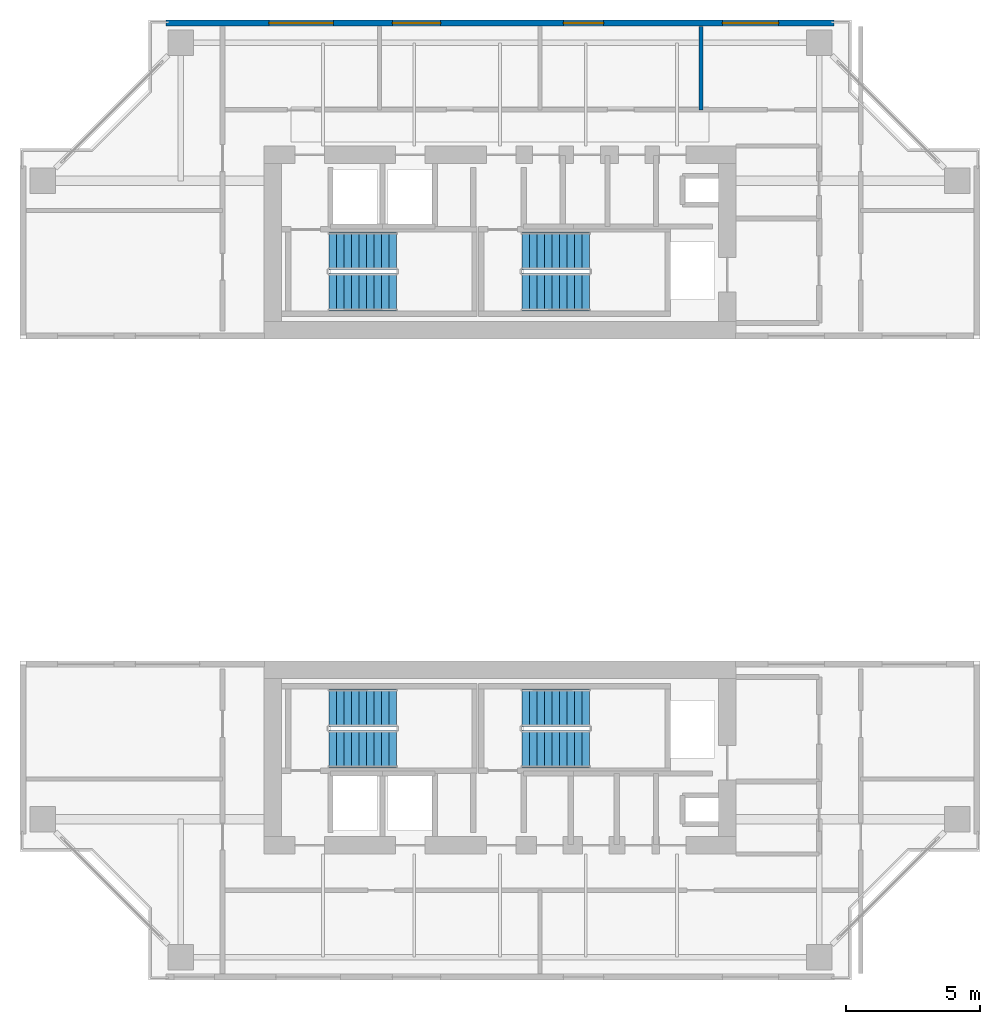
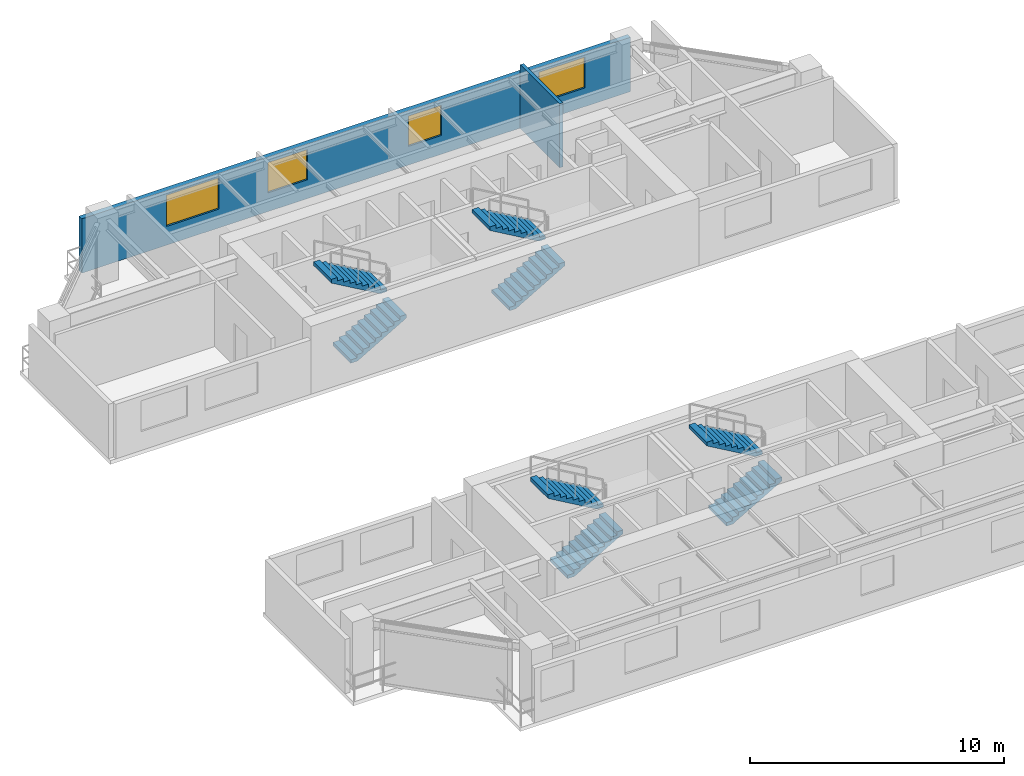
# One storey, part 10 of 12: 8 stair flights, 4 windows, 2 walls, 4 openings, 4 elements without a shape of their own.
"""IFC4 building model written with IfcOpenShell, lengths in metres."""

from ifc_helpers import new_model, si_unit, direction, frame, frame_2d, origin, place, context, subcontext, project, spatial, polyline, rectangle, outline, extrude, source, transform, mapped, material, layer, layer_set, type_object, element, fill, aggregate, save


model = new_model("IFC4")

# Units and contexts
model_context = context("Model", 3, precision=1e-05, world=origin(), true_north=direction((0.0, 1.0)))
body_context = subcontext(model_context, "Body", "Model", "MODEL_VIEW")
ifc_project = project(units=[si_unit("LENGTHUNIT", "METRE"), si_unit("AREAUNIT", "SQUARE_METRE"), si_unit("VOLUMEUNIT", "CUBIC_METRE"), si_unit("PLANEANGLEUNIT", "RADIAN"), si_unit("MASSUNIT", "GRAM", prefix="KILO"), si_unit("THERMODYNAMICTEMPERATUREUNIT", "KELVIN"), si_unit("POWERUNIT", "WATT")], contexts=[model_context])

# Site, building, storey
site_placement = place(None, origin())
site = spatial("IfcSite", under=ifc_project, at=site_placement, CompositionType="ELEMENT")
building_placement = place(site_placement, origin())
building = spatial("IfcBuilding", under=site, at=building_placement, Name="Qiaomeng Ring Towers", CompositionType="ELEMENT")
storey_placement = place(building_placement, frame((0.0, 0.0, 163.25)))
storey = spatial("IfcBuildingStorey", under=building, at=storey_placement, Name="L47", CompositionType="ELEMENT", Elevation=163.25)

# Wall, openings, windows
ifc_material_1 = material(Name="Precast concrete C40", Category="concrete")
ifc_layer_1 = layer(ifc_material_1, 0.219970703125, Name="Precast concrete C40")
ifc_layer_set_1 = layer_set([ifc_layer_1], Name="Precast concrete C40")
wall_type_1 = type_object("IfcWallType", Name="ARC-WL-EW2", PredefinedType="STANDARD", material=ifc_layer_set_1)
wall_1_placement = place(storey_placement, frame((6.550048828125, 40.7900390625, 0.0), z_axis=(0.0, 0.0, 1.0), x_axis=(1.0, 0.0, 0.0)))
wall_1 = element("IfcWall", 1, at=wall_1_placement, inside=storey, type_object=wall_type_1, Name="L47 Tower 1 N Exterior Wall", PredefinedType="STANDARD", context=body_context, shape_type="SweptSolid", body=[
    extrude(rectangle(XDim=24.89990234375, YDim=0.219970703125, at=frame_2d((12.449951171875, 0.0))), origin(), (0.0, 0.0, 1.0), 2.610107421875),
])
opening_1_placement = place(wall_1_placement, frame((3.83251953125, 0.0, 0.89990234375)))
opening_1 = element("IfcOpeningElement", 2, at=opening_1_placement, cuts=wall_1, Name="Opening WN6", PredefinedType="OPENING", context=body_context, shape_type="SweptSolid", body=[
    extrude(rectangle(XDim=2.39990234375, YDim=1.5, at=frame_2d((1.199951171875, 0.75))), frame((0.0, 0.119873046875, 0.0), z_axis=(0.0, -1.0, 0.0), x_axis=(1.0, 0.0, 0.0)), (0.0, 0.0, 1.0), 0.239990234375),
])
opening_2_placement = place(wall_1_placement, frame((8.43798828125, 0.0, 0.89990234375)))
opening_2 = element("IfcOpeningElement", 3, at=opening_2_placement, cuts=wall_1, Name="Opening WN1", PredefinedType="OPENING", context=body_context, shape_type="SweptSolid", body=[
    extrude(rectangle(XDim=1.800048828125, YDim=1.449951171875, at=frame_2d((0.89990234375, 0.72509765625))), frame((0.0, 0.119873046875, 0.0), z_axis=(0.0, -1.0, 0.0), x_axis=(1.0, 0.0, 0.0)), (0.0, 0.0, 1.0), 0.239990234375),
])
opening_3_placement = place(wall_1_placement, frame((14.81298828125, 0.0, 0.89990234375)))
opening_3 = element("IfcOpeningElement", 4, at=opening_3_placement, cuts=wall_1, Name="Opening WN2", PredefinedType="OPENING", context=body_context, shape_type="SweptSolid", body=[
    extrude(rectangle(XDim=1.5, YDim=1.449951171875, at=frame_2d((0.75, 0.72509765625))), frame((0.0, 0.119873046875, 0.0), z_axis=(0.0, -1.0, 0.0), x_axis=(1.0, 0.0, 0.0)), (0.0, 0.0, 1.0), 0.239990234375),
])
opening_4_placement = place(wall_1_placement, frame((20.738037109375, 0.0, 0.89990234375)))
opening_4 = element("IfcOpeningElement", 5, at=opening_4_placement, cuts=wall_1, Name="Opening WN4", PredefinedType="OPENING", context=body_context, shape_type="SweptSolid", body=[
    extrude(rectangle(XDim=2.10009765625, YDim=1.47998046875, at=frame_2d((1.050048828125, 0.739990234375))), frame((0.0, 0.119873046875, 0.0), z_axis=(0.0, -1.0, 0.0), x_axis=(1.0, 0.0, 0.0)), (0.0, 0.0, 1.0), 0.239990234375),
])
ifc_material_2 = material(Name="Low-E dark-grey laminated double glazing", Category="glass")
window_type_1 = type_object("IfcWindowType", Name="ARC-WN-2", PartitioningType="DOUBLE_PANEL_VERTICAL", PredefinedType="WINDOW", material=ifc_material_2)
shared_shape_1 = source(origin(), body_context, "Body", "SweptSolid", [
    extrude(rectangle(XDim=1.5, YDim=1.449951171875, at=frame_2d((0.75, 0.72509765625))), frame((0.0, 0.030029296875, 0.0), z_axis=(0.0, -1.0, 0.0), x_axis=(1.0, 0.0, 0.0)), (0.0, 0.0, 1.0), 0.06005859375),
])
window_1_placement = place(opening_3_placement, origin())
window_1 = element("IfcWindow", 6, at=window_1_placement, inside=storey, type_object=window_type_1, Name="L47 Exterior Window WN2", OverallHeight=1.449951171875, OverallWidth=1.5, PartitioningType="DOUBLE_PANEL_VERTICAL", PredefinedType="WINDOW", context=body_context, shape_type="MappedRepresentation", body=[
    mapped(shared_shape_1, transform((0.0, 0.0, 0.0), x_axis=(1.0, 0.0, 0.0), y_axis=(0.0, 1.0, 0.0), z_axis=(0.0, 0.0, 1.0), scale=1.0)),
])
fill(opening_3, window_1)
window_type_2 = type_object("IfcWindowType", Name="ARC-WN-4", PartitioningType="TRIPLE_PANEL_VERTICAL", PredefinedType="WINDOW", material=ifc_material_2)
shared_shape_2 = source(origin(), body_context, "Body", "SweptSolid", [
    extrude(rectangle(XDim=2.10009765625, YDim=1.47998046875, at=frame_2d((1.050048828125, 0.739990234375))), frame((0.0, 0.030029296875, 0.0), z_axis=(0.0, -1.0, 0.0), x_axis=(1.0, 0.0, 0.0)), (0.0, 0.0, 1.0), 0.06005859375),
])
window_2_placement = place(opening_4_placement, origin())
window_2 = element("IfcWindow", 7, at=window_2_placement, inside=storey, type_object=window_type_2, Name="L47 Exterior Window WN4", OverallHeight=1.47998046875, OverallWidth=2.10009765625, PartitioningType="TRIPLE_PANEL_VERTICAL", PredefinedType="WINDOW", context=body_context, shape_type="MappedRepresentation", body=[
    mapped(shared_shape_2, transform((0.0, 0.0, 0.0), x_axis=(1.0, 0.0, 0.0), y_axis=(0.0, 1.0, 0.0), z_axis=(0.0, 0.0, 1.0), scale=1.0)),
])
fill(opening_4, window_2)
window_type_3 = type_object("IfcWindowType", Name="ARC-WN-1", PartitioningType="DOUBLE_PANEL_VERTICAL", PredefinedType="WINDOW", material=ifc_material_2)
shared_shape_3 = source(origin(), body_context, "Body", "SweptSolid", [
    extrude(rectangle(XDim=1.800048828125, YDim=1.449951171875, at=frame_2d((0.89990234375, 0.72509765625))), frame((0.0, 0.030029296875, 0.0), z_axis=(0.0, -1.0, 0.0), x_axis=(1.0, 0.0, 0.0)), (0.0, 0.0, 1.0), 0.06005859375),
])
window_3_placement = place(opening_2_placement, origin())
window_3 = element("IfcWindow", 8, at=window_3_placement, inside=storey, type_object=window_type_3, Name="L47 Exterior Window WN1", OverallHeight=1.449951171875, OverallWidth=1.800048828125, PartitioningType="DOUBLE_PANEL_VERTICAL", PredefinedType="WINDOW", context=body_context, shape_type="MappedRepresentation", body=[
    mapped(shared_shape_3, transform((0.0, 0.0, 0.0), x_axis=(1.0, 0.0, 0.0), y_axis=(0.0, 1.0, 0.0), z_axis=(0.0, 0.0, 1.0), scale=1.0)),
])
fill(opening_2, window_3)
window_type_4 = type_object("IfcWindowType", Name="ARC-WN-6", PartitioningType="TRIPLE_PANEL_VERTICAL", PredefinedType="WINDOW", material=ifc_material_2)
shared_shape_4 = source(origin(), body_context, "Body", "SweptSolid", [
    extrude(rectangle(XDim=2.39990234375, YDim=1.5, at=frame_2d((1.199951171875, 0.75))), frame((0.0, 0.030029296875, 0.0), z_axis=(0.0, -1.0, 0.0), x_axis=(1.0, 0.0, 0.0)), (0.0, 0.0, 1.0), 0.06005859375),
])
window_4_placement = place(opening_1_placement, origin())
window_4 = element("IfcWindow", 9, at=window_4_placement, inside=storey, type_object=window_type_4, Name="L47 Exterior Window WN6", OverallHeight=1.5, OverallWidth=2.39990234375, PartitioningType="TRIPLE_PANEL_VERTICAL", PredefinedType="WINDOW", context=body_context, shape_type="MappedRepresentation", body=[
    mapped(shared_shape_4, transform((0.0, 0.0, 0.0), x_axis=(1.0, 0.0, 0.0), y_axis=(0.0, 1.0, 0.0), z_axis=(0.0, 0.0, 1.0), scale=1.0)),
])
fill(opening_1, window_4)

# Wall
ifc_material_3 = material(Name="Gypsum fireboard steel-stud partition", Category="steel")
ifc_layer_2 = layer(ifc_material_3, 0.14990234375, Name="Gypsum fireboard steel-stud partition")
ifc_layer_set_2 = layer_set([ifc_layer_2], Name="Gypsum fireboard steel-stud partition")
wall_type_2 = type_object("IfcWallType", Name="ARC-WL-PW3", PredefinedType="PARTITIONING", material=ifc_layer_set_2)
wall_2_placement = place(storey_placement, frame((26.5, 37.550048828125, 0.0), z_axis=(0.0, 0.0, 1.0), x_axis=(0.0, 1.0, 0.0)))
element("IfcWall", 10, at=wall_2_placement, inside=storey, type_object=wall_type_2, Name="L47 Interior Wall PW3", PredefinedType="PARTITIONING", context=body_context, shape_type="SweptSolid", body=[
    extrude(rectangle(XDim=3.099853515625, YDim=0.14990234375, at=frame_2d((1.5498046875, 0.0))), origin(), (0.0, 0.0, 1.0), 3.070068359375),
])

# Stair, stair flights
stair_type = type_object("IfcStairType", Name="ARC-ST-325", PredefinedType="HALF_TURN_STAIR", material=ifc_material_1)
stair_1_placement = place(storey_placement, origin())
stair_1 = element("IfcStair", 11, at=stair_1_placement, inside=storey, type_object=stair_type, Name="L47 Tower 1 North Stair 1", PredefinedType="HALF_TURN_STAIR")
stair_flight_type = type_object("IfcStairFlightType", Name="ARC-ST-325-FL", PredefinedType="STRAIGHT", material=ifc_material_1)
shared_shape_5 = source(origin(), body_context, "Body", "SweptSolid", [
    extrude(outline(polyline([(0.0, 0.0), (0.0, 0.16259765625), (0.280029296875, 0.16259765625), (0.280029296875, 0.324951171875), (0.56005859375, 0.324951171875), (0.56005859375, 0.487548828125), (0.840087890625, 0.487548828125), (0.840087890625, 0.64990234375), (1.1201171875, 0.64990234375), (1.1201171875, 0.8125), (1.39990234375, 0.8125), (1.39990234375, 0.97509765625), (1.679931640625, 0.97509765625), (1.679931640625, 1.137451171875), (1.9599609375, 1.137451171875), (1.9599609375, 1.300048828125), (2.239990234375, 1.300048828125), (2.239990234375, 1.46240234375), (2.52001953125, 1.46240234375), (2.52001953125, 1.625), (2.52001953125, 1.2890625), (0.298583984375, 0.0), (0.0, 0.0)])), frame((0.0, 0.699951171875, 0.0), z_axis=(0.0, -1.0, 0.0), x_axis=(1.0, 0.0, 0.0)), (0.0, 0.0, 1.0), 1.39990234375),
])
stair_flight_1_placement = place(storey_placement, frame((12.6201171875, 30.75, 0.0), z_axis=(0.0, 0.0, 1.0), x_axis=(1.0, 0.0, 0.0)))
stair_flight_1 = element("IfcStairFlight", 12, at=stair_flight_1_placement, type_object=stair_flight_type, Name="ST1 flight 1", NumberOfRisers=10, NumberOfTreads=9, PredefinedType="STRAIGHT", RiserHeight=0.1625, TreadLength=0.28, context=body_context, shape_type="MappedRepresentation", body=[
    mapped(shared_shape_5, transform((0.0, 0.0, 0.0), x_axis=(1.0, 0.0, 0.0), y_axis=(0.0, 1.0, 0.0), z_axis=(0.0, 0.0, 1.0), scale=1.0)),
])
stair_flight_2_placement = place(storey_placement, frame((15.139892578125, 32.2900390625, 1.625), z_axis=(0.0, 0.0, 1.0), x_axis=(-1.0, 0.0, 0.0)))
stair_flight_2 = element("IfcStairFlight", 13, at=stair_flight_2_placement, type_object=stair_flight_type, Name="ST1 flight 2", NumberOfRisers=10, NumberOfTreads=9, PredefinedType="STRAIGHT", RiserHeight=0.1625, TreadLength=0.28, context=body_context, shape_type="MappedRepresentation", body=[
    mapped(shared_shape_5, transform((0.0, 0.0, 0.0), x_axis=(1.0, 0.0, 0.0), y_axis=(0.0, 1.0, 0.0), z_axis=(0.0, 0.0, 1.0), scale=1.0)),
])
aggregate(stair_1, [stair_flight_1, stair_flight_2])

stair_2_placement = place(storey_placement, origin())
stair_2 = element("IfcStair", 14, at=stair_2_placement, inside=storey, type_object=stair_type, Name="L47 Tower 1 North Stair 2", PredefinedType="HALF_TURN_STAIR")
stair_flight_3_placement = place(storey_placement, frame((19.820068359375, 30.75, 0.0), z_axis=(0.0, 0.0, 1.0), x_axis=(1.0, 0.0, 0.0)))
stair_flight_3 = element("IfcStairFlight", 15, at=stair_flight_3_placement, type_object=stair_flight_type, Name="ST2 flight 1", NumberOfRisers=10, NumberOfTreads=9, PredefinedType="STRAIGHT", RiserHeight=0.1625, TreadLength=0.28, context=body_context, shape_type="MappedRepresentation", body=[
    mapped(shared_shape_5, transform((0.0, 0.0, 0.0), x_axis=(1.0, 0.0, 0.0), y_axis=(0.0, 1.0, 0.0), z_axis=(0.0, 0.0, 1.0), scale=1.0)),
])
stair_flight_4_placement = place(storey_placement, frame((22.340087890625, 32.2900390625, 1.625), z_axis=(0.0, 0.0, 1.0), x_axis=(-1.0, 0.0, 0.0)))
stair_flight_4 = element("IfcStairFlight", 16, at=stair_flight_4_placement, type_object=stair_flight_type, Name="ST2 flight 2", NumberOfRisers=10, NumberOfTreads=9, PredefinedType="STRAIGHT", RiserHeight=0.1625, TreadLength=0.28, context=body_context, shape_type="MappedRepresentation", body=[
    mapped(shared_shape_5, transform((0.0, 0.0, 0.0), x_axis=(1.0, 0.0, 0.0), y_axis=(0.0, 1.0, 0.0), z_axis=(0.0, 0.0, 1.0), scale=1.0)),
])
aggregate(stair_2, [stair_flight_3, stair_flight_4])

stair_3_placement = place(storey_placement, origin())
stair_3 = element("IfcStair", 17, at=stair_3_placement, inside=storey, type_object=stair_type, Name="L47 Tower 1 South Stair 3", PredefinedType="HALF_TURN_STAIR")
stair_flight_5_placement = place(storey_placement, frame((12.6201171875, 13.7099609375, 0.0), z_axis=(0.0, 0.0, 1.0), x_axis=(1.0, 0.0, 0.0)))
stair_flight_5 = element("IfcStairFlight", 18, at=stair_flight_5_placement, type_object=stair_flight_type, Name="ST3 flight 1", NumberOfRisers=10, NumberOfTreads=9, PredefinedType="STRAIGHT", RiserHeight=0.1625, TreadLength=0.28, context=body_context, shape_type="MappedRepresentation", body=[
    mapped(shared_shape_5, transform((0.0, 0.0, 0.0), x_axis=(1.0, 0.0, 0.0), y_axis=(0.0, 1.0, 0.0), z_axis=(0.0, 0.0, 1.0), scale=1.0)),
])
stair_flight_6_placement = place(storey_placement, frame((15.139892578125, 15.25, 1.625), z_axis=(0.0, 0.0, 1.0), x_axis=(-1.0, 0.0, 0.0)))
stair_flight_6 = element("IfcStairFlight", 19, at=stair_flight_6_placement, type_object=stair_flight_type, Name="ST3 flight 2", NumberOfRisers=10, NumberOfTreads=9, PredefinedType="STRAIGHT", RiserHeight=0.1625, TreadLength=0.28, context=body_context, shape_type="MappedRepresentation", body=[
    mapped(shared_shape_5, transform((0.0, 0.0, 0.0), x_axis=(1.0, 0.0, 0.0), y_axis=(0.0, 1.0, 0.0), z_axis=(0.0, 0.0, 1.0), scale=1.0)),
])
aggregate(stair_3, [stair_flight_5, stair_flight_6])

stair_4_placement = place(storey_placement, origin())
stair_4 = element("IfcStair", 20, at=stair_4_placement, inside=storey, type_object=stair_type, Name="L47 Tower 1 South Stair 4", PredefinedType="HALF_TURN_STAIR")
stair_flight_7_placement = place(storey_placement, frame((19.820068359375, 13.7099609375, 0.0), z_axis=(0.0, 0.0, 1.0), x_axis=(1.0, 0.0, 0.0)))
stair_flight_7 = element("IfcStairFlight", 21, at=stair_flight_7_placement, type_object=stair_flight_type, Name="ST4 flight 1", NumberOfRisers=10, NumberOfTreads=9, PredefinedType="STRAIGHT", RiserHeight=0.1625, TreadLength=0.28, context=body_context, shape_type="MappedRepresentation", body=[
    mapped(shared_shape_5, transform((0.0, 0.0, 0.0), x_axis=(1.0, 0.0, 0.0), y_axis=(0.0, 1.0, 0.0), z_axis=(0.0, 0.0, 1.0), scale=1.0)),
])
stair_flight_8_placement = place(storey_placement, frame((22.340087890625, 15.25, 1.625), z_axis=(0.0, 0.0, 1.0), x_axis=(-1.0, 0.0, 0.0)))
stair_flight_8 = element("IfcStairFlight", 22, at=stair_flight_8_placement, type_object=stair_flight_type, Name="ST4 flight 2", NumberOfRisers=10, NumberOfTreads=9, PredefinedType="STRAIGHT", RiserHeight=0.1625, TreadLength=0.28, context=body_context, shape_type="MappedRepresentation", body=[
    mapped(shared_shape_5, transform((0.0, 0.0, 0.0), x_axis=(1.0, 0.0, 0.0), y_axis=(0.0, 1.0, 0.0), z_axis=(0.0, 0.0, 1.0), scale=1.0)),
])
aggregate(stair_4, [stair_flight_7, stair_flight_8])

save(model, "model.ifc")
